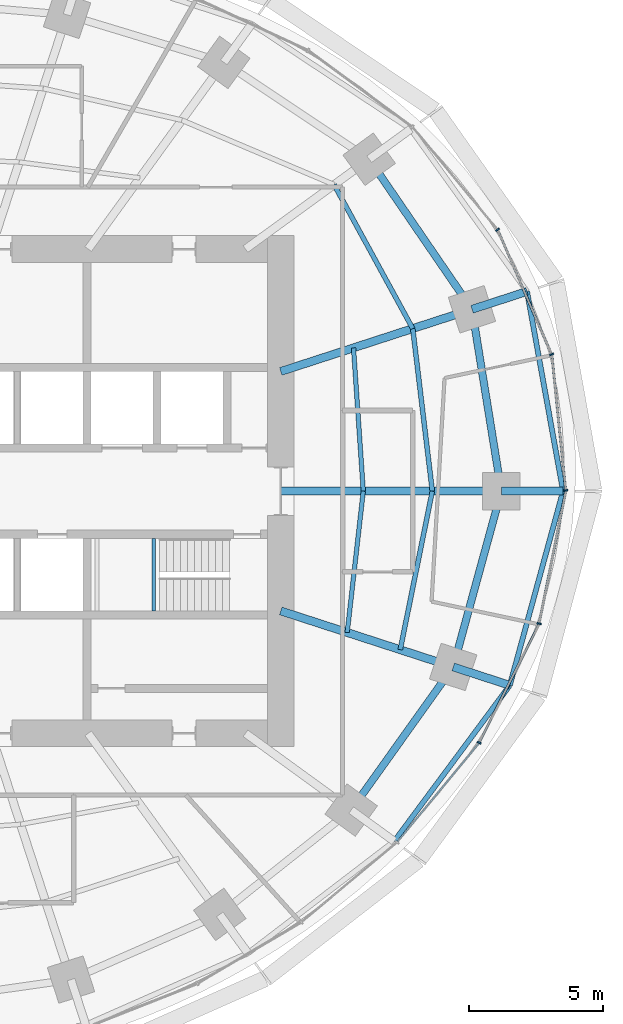
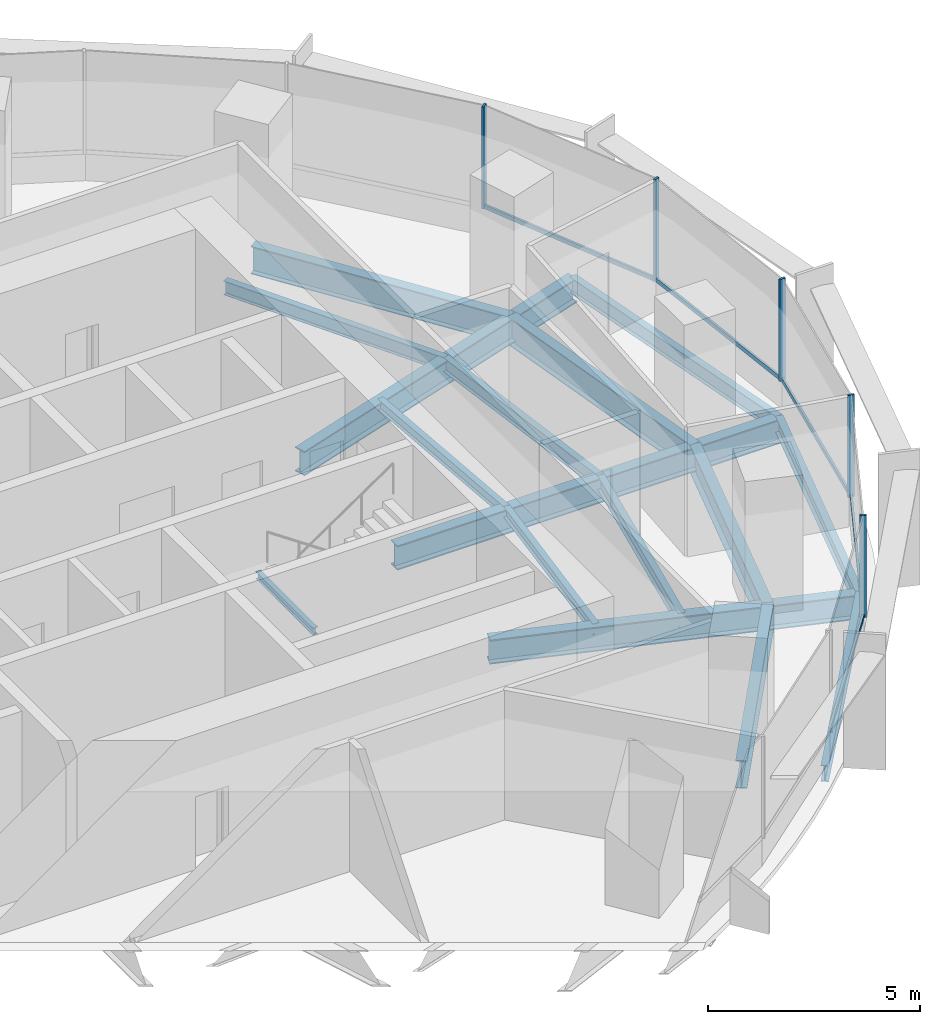
# One storey, part 6 of 14: 19 beams, 10 members, 2 elements without a shape of their own.
"""IFC4 building model written with IfcOpenShell, lengths in metres."""

from ifc_helpers import new_model, si_unit, direction, frame, origin, origin_2d, place, context, subcontext, project, spatial, rectangle, i_section, extrude, material, material_profile, profile_set, type_object, element, aggregate, save


model = new_model("IFC4")

# Units and contexts
model_context = context("Model", 3, precision=1e-05, world=origin(), true_north=direction((0.0, 1.0)))
body_context = subcontext(model_context, "Body", "Model", "MODEL_VIEW")
ifc_project = project(units=[si_unit("LENGTHUNIT", "METRE"), si_unit("AREAUNIT", "SQUARE_METRE"), si_unit("VOLUMEUNIT", "CUBIC_METRE"), si_unit("PLANEANGLEUNIT", "RADIAN"), si_unit("MASSUNIT", "GRAM", prefix="KILO")], contexts=[model_context])

# Site, building, storey
site_placement = place(None, origin())
site = spatial("IfcSite", under=ifc_project, at=site_placement, CompositionType="ELEMENT")
building_placement = place(site_placement, origin())
building = spatial("IfcBuilding", under=site, at=building_placement, Name="Marramba Exchange Tower", CompositionType="ELEMENT")
storey_placement = place(building_placement, frame((0.0, 0.0, 199.39990234375)))
storey = spatial("IfcBuildingStorey", under=building, at=storey_placement, Name="L48", CompositionType="ELEMENT", Elevation=199.39990234375)

# Beams
ifc_material_1 = material(Name="Steel AS/NZS 3679.2 grade 300", Category="steel")
ifc_material_profile_1 = material_profile(ifc_material_1, i_section(OverallWidth=0.300048828125, OverallDepth=0.699951171875, WebThickness=0.010009765625, FlangeThickness=0.031982421875, at=origin_2d()), Name="700WB173")
ifc_profile_set_1 = profile_set([ifc_material_profile_1], Name="Steel AS/NZS 3679.2 grade 300")
beam_type_1 = type_object("IfcBeamType", Name="Cantilever girder 700WB173", PredefinedType="BEAM", material=ifc_profile_set_1)
beam_1_placement = place(storey_placement, frame((21.89990234375, 0.0, -0.510009765625), z_axis=(1.0, 0.0, 0.0), x_axis=(0.0, 1.0, 0.0)))
element("IfcBeam", 1, at=beam_1_placement, inside=storey, type_object=beam_type_1, Name="Cantilever girder L48 TC01", PredefinedType="BEAM", context=body_context, shape_type="SweptSolid", body=[
    extrude(i_section(OverallWidth=0.300048828125, OverallDepth=0.699951171875, WebThickness=0.010009765625, FlangeThickness=0.031982421875, at=origin_2d()), origin(), (0.0, 0.0, 1.0), 2.294189453125),
])
beam_2_placement = place(storey_placement, frame((20.808349609375, 6.760986328125, -0.510009765625), z_axis=(0.951051587859, 0.309032162129, 0.0), x_axis=(-0.309032162129, 0.951051587859, 0.0)))
element("IfcBeam", 2, at=beam_2_placement, inside=storey, type_object=beam_type_1, Name="Cantilever girder L48 TC02", PredefinedType="BEAM", context=body_context, shape_type="SweptSolid", body=[
    extrude(i_section(OverallWidth=0.300048828125, OverallDepth=0.699951171875, WebThickness=0.010009765625, FlangeThickness=0.031982421875, at=origin_2d()), origin(), (0.0, 0.0, 1.0), 2.150390625),
])
beam_3_placement = place(storey_placement, frame((20.109375, -6.533935546875, -0.510009765625), z_axis=(0.951050283347, -0.309036176758, 0.0), x_axis=(0.309036176758, 0.951050283347, 0.0)))
element("IfcBeam", 3, at=beam_3_placement, inside=storey, type_object=beam_type_1, Name="Cantilever girder L48 TC20", PredefinedType="BEAM", context=body_context, shape_type="SweptSolid", body=[
    extrude(i_section(OverallWidth=0.300048828125, OverallDepth=0.699951171875, WebThickness=0.010009765625, FlangeThickness=0.031982421875, at=origin_2d()), origin(), (0.0, 0.0, 1.0), 2.212890625),
])
ifc_material_2 = material(Name="Steel AS/NZS 3679.1 grade 300", Category="steel")
ifc_material_profile_2 = material_profile(ifc_material_2, i_section(OverallWidth=0.166015625, OverallDepth=0.306884765625, WebThickness=0.006591796875, FlangeThickness=0.01171875, FilletRadius=0.011474609375, at=origin_2d()), Name="310UB46.2")
ifc_profile_set_2 = profile_set([ifc_material_profile_2], Name="Steel AS/NZS 3679.1 grade 300")
beam_type_2 = type_object("IfcBeamType", Name="Floor joist 310UB46.2", PredefinedType="JOIST", material=ifc_profile_set_2)
beam_4_placement = place(storey_placement, frame((16.7666015625, 0.0, -0.3134765625), z_axis=(-0.068096259546, 0.99767875563, 0.0), x_axis=(-0.99767875563, -0.068096259546, 0.0)))
element("IfcBeam", 4, at=beam_4_placement, inside=storey, type_object=beam_type_2, Name="Joist L48 bay 01 row 1", PredefinedType="JOIST", context=body_context, shape_type="SweptSolid", body=[
    extrude(i_section(OverallWidth=0.166015625, OverallDepth=0.306884765625, WebThickness=0.006591796875, FlangeThickness=0.01171875, FilletRadius=0.011474609375, at=origin_2d()), origin(), (0.0, 0.0, 1.0), 5.342041015625),
])
beam_5_placement = place(storey_placement, frame((16.169677734375, -5.25390625, -0.3134765625), z_axis=(0.112888968594, 0.993607609054, 0.0), x_axis=(-0.993607609054, 0.112888968594, 0.0)))
element("IfcBeam", 5, at=beam_5_placement, inside=storey, type_object=beam_type_2, Name="Joist L48 bay 20 row 1", PredefinedType="JOIST", context=body_context, shape_type="SweptSolid", body=[
    extrude(i_section(OverallWidth=0.166015625, OverallDepth=0.306884765625, WebThickness=0.006591796875, FlangeThickness=0.01171875, FilletRadius=0.011474609375, at=origin_2d()), origin(), (0.0, 0.0, 1.0), 5.28759765625),
])
ifc_material_profile_3 = material_profile(ifc_material_2, i_section(OverallWidth=0.177978515625, OverallDepth=0.406005859375, WebThickness=0.0078125, FlangeThickness=0.0126953125, FilletRadius=0.011474609375, at=origin_2d()), Name="410UB59.7")
ifc_profile_set_3 = profile_set([ifc_material_profile_3], Name="Steel AS/NZS 3679.1 grade 300")
beam_type_3 = type_object("IfcBeamType", Name="Floor joist 410UB59.7", PredefinedType="JOIST", material=ifc_profile_set_3)
beam_6_placement = place(storey_placement, frame((19.333251953125, 0.0, -0.36279296875), z_axis=(-0.119523078538, 0.992831422597, 0.0), x_axis=(-0.992831422597, -0.119523078538, 0.0)))
element("IfcBeam", 6, at=beam_6_placement, inside=storey, type_object=beam_type_3, Name="Joist L48 bay 01 row 2", PredefinedType="JOIST", context=body_context, shape_type="SweptSolid", body=[
    extrude(i_section(OverallWidth=0.177978515625, OverallDepth=0.406005859375, WebThickness=0.0078125, FlangeThickness=0.0126953125, FilletRadius=0.011474609375, at=origin_2d()), origin(), (0.0, 0.0, 1.0), 6.089111328125),
])
beam_7_placement = place(storey_placement, frame((18.60546875, 6.04541015625, -0.36279296875), z_axis=(-0.479584443791, 0.877495732909, 0.0), x_axis=(-0.877495732909, -0.479584443791, 0.0)))
element("IfcBeam", 7, at=beam_7_placement, inside=storey, type_object=beam_type_3, Name="Joist L48 bay 02 row 2", PredefinedType="JOIST", context=body_context, shape_type="SweptSolid", body=[
    extrude(i_section(OverallWidth=0.177978515625, OverallDepth=0.406005859375, WebThickness=0.0078125, FlangeThickness=0.0126953125, FilletRadius=0.011474609375, at=origin_2d()), origin(), (0.0, 0.0, 1.0), 6.094970703125),
])
beam_8_placement = place(storey_placement, frame((18.1396484375, -5.893798828125, -0.36279296875), z_axis=(0.198489047047, 0.980103105904, 0.0), x_axis=(-0.980103105904, 0.198489047047, 0.0)))
element("IfcBeam", 8, at=beam_8_placement, inside=storey, type_object=beam_type_3, Name="Joist L48 bay 20 row 2", PredefinedType="JOIST", context=body_context, shape_type="SweptSolid", body=[
    extrude(i_section(OverallWidth=0.177978515625, OverallDepth=0.406005859375, WebThickness=0.0078125, FlangeThickness=0.0126953125, FilletRadius=0.011474609375, at=origin_2d()), origin(), (0.0, 0.0, 1.0), 6.013427734375),
])

# Curtain wall, members
ifc_material_3 = material(Name="Aluminium framing, bronze anodised", Category="aluminium")
curtain_wall_type = type_object("IfcCurtainWallType", Name="Office ribbon curtain wall", PredefinedType="USERDEFINED", material=ifc_material_3)
curtain_wall_1_placement = place(storey_placement, origin())
curtain_wall_1 = element("IfcCurtainWall", 9, at=curtain_wall_1_placement, inside=storey, type_object=curtain_wall_type, Name="Curtain wall CW4 L48 F01-F05", ObjectType="RIBBON CURTAIN WALL", PredefinedType="USERDEFINED")
ifc_material_4 = material(Name="Aluminium mullion, bronze anodised", Category="aluminium")
ifc_material_profile_4 = material_profile(ifc_material_4, rectangle(XDim=0.159912109375, YDim=0.06005859375, at=origin_2d()), Name="CW4 mullion 60x160")
ifc_profile_set_4 = profile_set([ifc_material_profile_4], Name="Aluminium mullion, bronze anodised")
member_type_1 = type_object("IfcMemberType", Name="Office ribbon curtain wall mullion", PredefinedType="MULLION", material=ifc_profile_set_4)
member_1_placement = place(storey_placement, frame((24.291015625, 0.02978515625, 0.800048828125), z_axis=(0.0, 0.0, 1.0), x_axis=(-0.994843446001, -0.101422472607, 0.0)))
member_1 = element("IfcMember", 10, at=member_1_placement, type_object=member_type_1, Name="CW4 mullion 1", PredefinedType="MULLION", context=body_context, shape_type="SweptSolid", body=[
    extrude(rectangle(XDim=0.159912109375, YDim=0.06005859375, at=origin_2d()), origin(), (0.0, 0.0, 1.0), 2.93994140625),
])
member_2_placement = place(storey_placement, frame((23.766845703125, 5.081787109375, 0.800048828125), z_axis=(0.0, 0.0, 1.0), x_axis=(-0.918167104527, -0.396193346946, 0.0)))
member_2 = element("IfcMember", 11, at=member_2_placement, type_object=member_type_1, Name="CW4 mullion 1", PredefinedType="MULLION", context=body_context, shape_type="SweptSolid", body=[
    extrude(rectangle(XDim=0.159912109375, YDim=0.06005859375, at=origin_2d()), origin(), (0.0, 0.0, 1.0), 2.93994140625),
])
member_3_placement = place(storey_placement, frame((21.757080078125, 9.718505859375, 0.800048828125), z_axis=(0.0, 0.0, 1.0), x_axis=(-0.770574258342, -0.637350227411, 0.0)))
member_3 = element("IfcMember", 12, at=member_3_placement, type_object=member_type_1, Name="CW4 mullion 1", PredefinedType="MULLION", context=body_context, shape_type="SweptSolid", body=[
    extrude(rectangle(XDim=0.159912109375, YDim=0.06005859375, at=origin_2d()), origin(), (0.0, 0.0, 1.0), 2.93994140625),
])

curtain_wall_2_placement = place(storey_placement, origin())
curtain_wall_2 = element("IfcCurtainWall", 13, at=curtain_wall_2_placement, inside=storey, type_object=curtain_wall_type, Name="Curtain wall CW4 L48 F26-F30", ObjectType="RIBBON CURTAIN WALL", PredefinedType="USERDEFINED")
member_4_placement = place(storey_placement, frame((21.07568359375, -9.3505859375, 0.800048828125), z_axis=(0.0, 0.0, 1.0), x_axis=(-0.892689067591, 0.450673083956, 0.0)))
member_4 = element("IfcMember", 14, at=member_4_placement, type_object=member_type_1, Name="CW4 mullion 1", PredefinedType="MULLION", context=body_context, shape_type="SweptSolid", body=[
    extrude(rectangle(XDim=0.159912109375, YDim=0.06005859375, at=origin_2d()), origin(), (0.0, 0.0, 1.0), 2.93994140625),
])
member_5_placement = place(storey_placement, frame((23.30224609375, -4.92236328125, 0.800048828125), z_axis=(0.0, 0.0, 1.0), x_axis=(-0.980303812539, 0.197495405316, 0.0)))
member_5 = element("IfcMember", 15, at=member_5_placement, type_object=member_type_1, Name="CW4 mullion 1", PredefinedType="MULLION", context=body_context, shape_type="SweptSolid", body=[
    extrude(rectangle(XDim=0.159912109375, YDim=0.06005859375, at=origin_2d()), origin(), (0.0, 0.0, 1.0), 2.93994140625),
])

# Member
ifc_material_5 = material(Name="Aluminium transom, bronze anodised", Category="aluminium")
ifc_material_profile_5 = material_profile(ifc_material_5, rectangle(XDim=0.06005859375, YDim=0.1201171875, at=origin_2d()), Name="CW4 transom 60x120")
ifc_profile_set_5 = profile_set([ifc_material_profile_5], Name="Aluminium transom, bronze anodised")
member_type_2 = type_object("IfcMemberType", Name="Office ribbon curtain wall transom", PredefinedType="USERDEFINED", material=ifc_profile_set_5)
member_6_placement = place(storey_placement, frame((24.287841796875, 0.0595703125, 0.830078125), z_axis=(-0.101386007846, 0.994847162841, 0.0), x_axis=(-0.994847162841, -0.101386007846, 0.0)))
member_6 = element("IfcMember", 16, at=member_6_placement, type_object=member_type_2, Name="CW4 sill transom", ObjectType="TRANSOM", PredefinedType="USERDEFINED", context=body_context, shape_type="SweptSolid", body=[
    extrude(rectangle(XDim=0.06005859375, YDim=0.1201171875, at=origin_2d()), origin(), (0.0, 0.0, 1.0), 5.020751953125),
])

member_7_placement = place(storey_placement, frame((23.7548828125, 5.109375, 0.830078125), z_axis=(-0.396177573744, 0.918173910576, 0.0), x_axis=(-0.918173910576, -0.396177573744, 0.0)))
member_7 = element("IfcMember", 17, at=member_7_placement, type_object=member_type_2, Name="CW4 sill transom", ObjectType="TRANSOM", PredefinedType="USERDEFINED", context=body_context, shape_type="SweptSolid", body=[
    extrude(rectangle(XDim=0.06005859375, YDim=0.1201171875, at=origin_2d()), origin(), (0.0, 0.0, 1.0), 4.99462890625),
])

aggregate(curtain_wall_1, [member_1, member_6, member_2, member_7, member_3])

member_8_placement = place(storey_placement, frame((18.03515625, -13.029296875, 0.830078125), z_axis=(0.638146908901, 0.76991462037, 0.0), x_axis=(-0.76991462037, 0.638146908901, 0.0)))
member_8 = element("IfcMember", 18, at=member_8_placement, type_object=member_type_2, Name="CW4 sill transom", ObjectType="TRANSOM", PredefinedType="USERDEFINED", context=body_context, shape_type="SweptSolid", body=[
    extrude(rectangle(XDim=0.06005859375, YDim=0.1201171875, at=origin_2d()), origin(), (0.0, 0.0, 1.0), 4.7431640625),
])

member_9_placement = place(storey_placement, frame((21.089111328125, -9.323974609375, 0.830078125), z_axis=(0.450679681949, 0.892685736572, 0.0), x_axis=(-0.892685736572, 0.450679681949, 0.0)))
member_9 = element("IfcMember", 19, at=member_9_placement, type_object=member_type_2, Name="CW4 sill transom", ObjectType="TRANSOM", PredefinedType="USERDEFINED", context=body_context, shape_type="SweptSolid", body=[
    extrude(rectangle(XDim=0.06005859375, YDim=0.1201171875, at=origin_2d()), origin(), (0.0, 0.0, 1.0), 4.897705078125),
])

member_10_placement = place(storey_placement, frame((23.308349609375, -4.89306640625, 0.830078125), z_axis=(0.197461053167, 0.980310732616, 0.0), x_axis=(-0.980310732616, 0.197461053167, 0.0)))
member_10 = element("IfcMember", 20, at=member_10_placement, type_object=member_type_2, Name="CW4 sill transom", ObjectType="TRANSOM", PredefinedType="USERDEFINED", context=body_context, shape_type="SweptSolid", body=[
    extrude(rectangle(XDim=0.06005859375, YDim=0.1201171875, at=origin_2d()), origin(), (0.0, 0.0, 1.0), 4.991455078125),
])

aggregate(curtain_wall_2, [member_8, member_4, member_9, member_5, member_10])

# Beams
ifc_material_profile_6 = material_profile(ifc_material_1, i_section(OverallWidth=0.300048828125, OverallDepth=0.699951171875, WebThickness=0.010009765625, FlangeThickness=0.031982421875, at=origin_2d()), Name="700WB173")
ifc_profile_set_6 = profile_set([ifc_material_profile_6], Name="Steel AS/NZS 3679.2 grade 300")
beam_type_4 = type_object("IfcBeamType", Name="Radial girder 700WB173", PredefinedType="BEAM", material=ifc_profile_set_6)
beam_9_placement = place(storey_placement, frame((13.699951171875, 0.0, -0.510009765625), z_axis=(1.0, 0.0, 0.0), x_axis=(0.0, 1.0, 0.0)))
element("IfcBeam", 21, at=beam_9_placement, inside=storey, type_object=beam_type_4, Name="Radial girder L48 TC01", PredefinedType="BEAM", context=body_context, shape_type="SweptSolid", body=[
    extrude(i_section(OverallWidth=0.300048828125, OverallDepth=0.699951171875, WebThickness=0.010009765625, FlangeThickness=0.031982421875, at=origin_2d()), origin(), (0.0, 0.0, 1.0), 8.199951171875),
])
beam_10_placement = place(storey_placement, frame((13.699951171875, 4.451416015625, -0.510009765625), z_axis=(0.951059990189, 0.309006302624, 0.0), x_axis=(-0.309006302624, 0.951059990189, 0.0)))
element("IfcBeam", 22, at=beam_10_placement, inside=storey, type_object=beam_type_4, Name="Radial girder L48 TC02", PredefinedType="BEAM", context=body_context, shape_type="SweptSolid", body=[
    extrude(i_section(OverallWidth=0.300048828125, OverallDepth=0.699951171875, WebThickness=0.010009765625, FlangeThickness=0.031982421875, at=origin_2d()), origin(), (0.0, 0.0, 1.0), 7.47412109375),
])
beam_11_placement = place(storey_placement, frame((13.699951171875, -4.451416015625, -0.510009765625), z_axis=(0.951057759669, -0.309013167637, 0.0), x_axis=(0.309013167637, 0.951057759669, 0.0)))
element("IfcBeam", 23, at=beam_11_placement, inside=storey, type_object=beam_type_4, Name="Radial girder L48 TC20", PredefinedType="BEAM", context=body_context, shape_type="SweptSolid", body=[
    extrude(i_section(OverallWidth=0.300048828125, OverallDepth=0.699951171875, WebThickness=0.010009765625, FlangeThickness=0.031982421875, at=origin_2d()), origin(), (0.0, 0.0, 1.0), 6.7392578125),
])
ifc_material_profile_7 = material_profile(ifc_material_1, i_section(OverallWidth=0.27490234375, OverallDepth=0.800048828125, WebThickness=0.010009765625, FlangeThickness=0.02490234375, at=origin_2d()), Name="800WB168")
ifc_profile_set_7 = profile_set([ifc_material_profile_7], Name="Steel AS/NZS 3679.2 grade 300")
beam_type_5 = type_object("IfcBeamType", Name="Ring beam 800WB168", PredefinedType="SPANDREL", material=ifc_profile_set_7)
beam_12_placement = place(storey_placement, frame((21.89990234375, 0.0, -0.559814453125), z_axis=(-0.159384865399, 0.987216523708, 0.0), x_axis=(-0.987216523708, -0.159384865399, 0.0)))
element("IfcBeam", 24, at=beam_12_placement, inside=storey, type_object=beam_type_5, Name="Ring beam L48 TC01-TC02", PredefinedType="SPANDREL", context=body_context, shape_type="SweptSolid", body=[
    extrude(i_section(OverallWidth=0.27490234375, OverallDepth=0.800048828125, WebThickness=0.010009765625, FlangeThickness=0.02490234375, at=origin_2d()), origin(), (0.0, 0.0, 1.0), 6.8486328125),
])
beam_13_placement = place(storey_placement, frame((20.808349609375, 6.760986328125, -0.559814453125), z_axis=(-0.56516002054, 0.824981303535, 0.0), x_axis=(-0.824981303535, -0.56516002054, 0.0)))
element("IfcBeam", 25, at=beam_13_placement, inside=storey, type_object=beam_type_5, Name="Ring beam L48 TC02-TC03", PredefinedType="SPANDREL", context=body_context, shape_type="SweptSolid", body=[
    extrude(i_section(OverallWidth=0.27490234375, OverallDepth=0.800048828125, WebThickness=0.010009765625, FlangeThickness=0.02490234375, at=origin_2d()), origin(), (0.0, 0.0, 1.0), 6.763671875),
])
beam_14_placement = place(storey_placement, frame((16.3154296875, -11.853759765625, -0.559814453125), z_axis=(0.580637181111, 0.814162430914, 0.0), x_axis=(-0.814162430914, 0.580637181111, 0.0)))
element("IfcBeam", 26, at=beam_14_placement, inside=storey, type_object=beam_type_5, Name="Ring beam L48 TC19-TC20", PredefinedType="SPANDREL", context=body_context, shape_type="SweptSolid", body=[
    extrude(i_section(OverallWidth=0.27490234375, OverallDepth=0.800048828125, WebThickness=0.010009765625, FlangeThickness=0.02490234375, at=origin_2d()), origin(), (0.0, 0.0, 1.0), 6.5341796875),
])
beam_15_placement = place(storey_placement, frame((20.109375, -6.533935546875, -0.559814453125), z_axis=(0.264291166956, 0.964442937176, 0.0), x_axis=(-0.964442937176, 0.264291166956, 0.0)))
element("IfcBeam", 27, at=beam_15_placement, inside=storey, type_object=beam_type_5, Name="Ring beam L48 TC20-TC01", PredefinedType="SPANDREL", context=body_context, shape_type="SweptSolid", body=[
    extrude(i_section(OverallWidth=0.27490234375, OverallDepth=0.800048828125, WebThickness=0.010009765625, FlangeThickness=0.02490234375, at=origin_2d()), origin(), (0.0, 0.0, 1.0), 6.77490234375),
])
ifc_material_profile_8 = material_profile(ifc_material_2, i_section(OverallWidth=0.19091796875, OverallDepth=0.4599609375, WebThickness=0.010009765625, FlangeThickness=0.01611328125, FilletRadius=0.011474609375, at=origin_2d()), Name="460UB82.1")
ifc_profile_set_8 = profile_set([ifc_material_profile_8], Name="Steel AS/NZS 3679.1 grade 300")
beam_type_6 = type_object("IfcBeamType", Name="Slab edge beam 460UB82.1", PredefinedType="SPANDREL", material=ifc_profile_set_8)
beam_16_placement = place(storey_placement, frame((24.194091796875, 0.0, -0.389892578125), z_axis=(-0.177663817107, 0.984091239719, 0.0), x_axis=(-0.984091239719, -0.177663817107, 0.0)))
element("IfcBeam", 28, at=beam_16_placement, inside=storey, type_object=beam_type_6, Name="Slab edge beam L48 TC01-TC02", PredefinedType="SPANDREL", context=body_context, shape_type="SweptSolid", body=[
    extrude(i_section(OverallWidth=0.19091796875, OverallDepth=0.4599609375, WebThickness=0.010009765625, FlangeThickness=0.01611328125, FilletRadius=0.011474609375, at=origin_2d()), origin(), (0.0, 0.0, 1.0), 7.545654296875),
])
beam_17_placement = place(storey_placement, frame((17.916015625, -13.016845703125, -0.389892578125), z_axis=(0.595428136035, 0.803408572781, 0.0), x_axis=(-0.803408572781, 0.595428136035, 0.0)))
element("IfcBeam", 29, at=beam_17_placement, inside=storey, type_object=beam_type_6, Name="Slab edge beam L48 TC19-TC20", PredefinedType="SPANDREL", context=body_context, shape_type="SweptSolid", body=[
    extrude(i_section(OverallWidth=0.19091796875, OverallDepth=0.4599609375, WebThickness=0.010009765625, FlangeThickness=0.01611328125, FilletRadius=0.011474609375, at=origin_2d()), origin(), (0.0, 0.0, 1.0), 7.218017578125),
])
beam_18_placement = place(storey_placement, frame((22.2138671875, -7.2177734375, -0.389892578125), z_axis=(0.264577205901, 0.964364506874, 0.0), x_axis=(-0.964364506874, 0.264577205901, 0.0)))
element("IfcBeam", 30, at=beam_18_placement, inside=storey, type_object=beam_type_6, Name="Slab edge beam L48 TC20-TC01", PredefinedType="SPANDREL", context=body_context, shape_type="SweptSolid", body=[
    extrude(i_section(OverallWidth=0.19091796875, OverallDepth=0.4599609375, WebThickness=0.010009765625, FlangeThickness=0.01611328125, FilletRadius=0.011474609375, at=origin_2d()), origin(), (0.0, 0.0, 1.0), 7.484375),
])
ifc_material_profile_9 = material_profile(ifc_material_2, i_section(OverallWidth=0.133056640625, OverallDepth=0.202880859375, WebThickness=0.005859375, FlangeThickness=0.0078125, FilletRadius=0.0087890625, at=origin_2d()), Name="200UB25.4")
ifc_profile_set_9 = profile_set([ifc_material_profile_9], Name="Steel AS/NZS 3679.1 grade 300")
beam_type_7 = type_object("IfcBeamType", Name="Stair landing beam 200UB25.4", PredefinedType="BEAM", material=ifc_profile_set_9)
beam_19_placement = place(storey_placement, frame((8.9833984375, -4.449951171875, 1.648681640625), z_axis=(0.0, 1.0, 0.0), x_axis=(-1.0, 0.0, 0.0)))
element("IfcBeam", 31, at=beam_19_placement, inside=storey, type_object=beam_type_7, Name="Stair landing beam SLB1 ST2 L48 2", PredefinedType="BEAM", context=body_context, shape_type="SweptSolid", body=[
    extrude(i_section(OverallWidth=0.133056640625, OverallDepth=0.202880859375, WebThickness=0.005859375, FlangeThickness=0.0078125, FilletRadius=0.0087890625, at=origin_2d()), origin(), (0.0, 0.0, 1.0), 2.699951171875),
])

save(model, "model.ifc")
